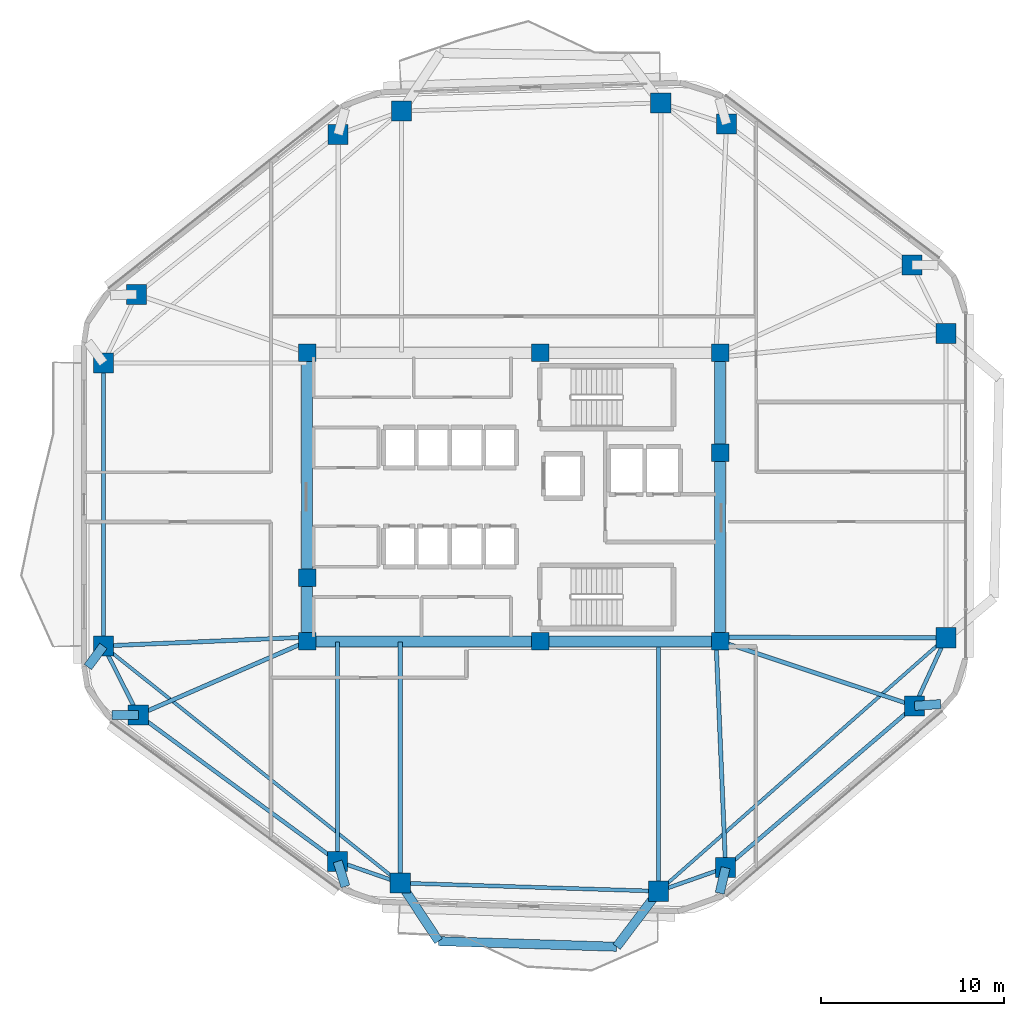
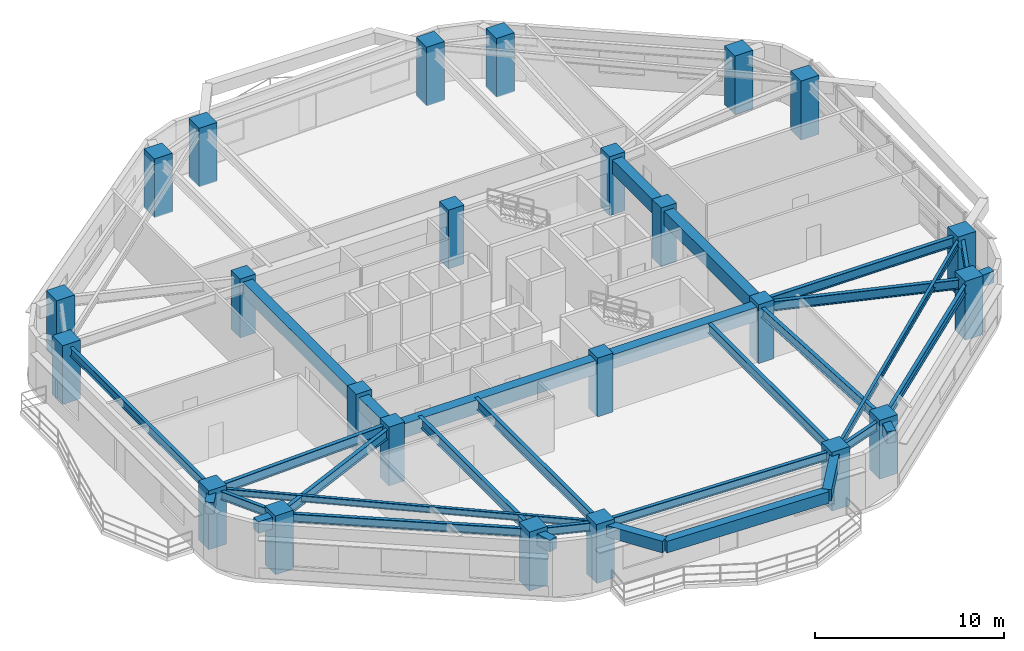
# One storey, part 1 of 13: 32 beams, 24 columns.
"""IFC4 building model written with IfcOpenShell, lengths in metres."""

from ifc_helpers import new_model, si_unit, direction, frame, origin, origin_2d, place, context, subcontext, project, spatial, rectangle, i_section, extrude, material, material_profile, profile_set, type_object, element, save


model = new_model("IFC4")

# Units and contexts
model_context = context("Model", 3, precision=1e-05, world=origin(), true_north=direction((0.0, 1.0)))
body_context = subcontext(model_context, "Body", "Model", "MODEL_VIEW")
ifc_project = project(units=[si_unit("LENGTHUNIT", "METRE"), si_unit("AREAUNIT", "SQUARE_METRE"), si_unit("VOLUMEUNIT", "CUBIC_METRE"), si_unit("PLANEANGLEUNIT", "RADIAN"), si_unit("MASSUNIT", "GRAM", prefix="KILO")], contexts=[model_context])

# Site, building, storey
site_placement = place(None, origin())
site = spatial("IfcSite", under=ifc_project, at=site_placement, CompositionType="ELEMENT")
building_placement = place(site_placement, origin())
building = spatial("IfcBuilding", under=site, at=building_placement, Name="Zulverin Broadcast Headquarters", CompositionType="ELEMENT")
storey_placement = place(building_placement, frame((0.0, 0.0, 155.39990234375)))
storey = spatial("IfcBuildingStorey", under=building, at=storey_placement, Name="L39", CompositionType="ELEMENT", Elevation=155.39990234375)

# Columns
ifc_material_1 = material(Name="Concrete C60/75", Category="concrete")
ifc_material_profile_1 = material_profile(ifc_material_1, rectangle(XDim=1.10009765625, YDim=1.10009765625, at=origin_2d()), Name="Concrete C60/75", Category="concrete")
ifc_profile_set_1 = profile_set([ifc_material_profile_1], Name="Concrete C60/75")
column_type_1 = type_object("IfcColumnType", Name="COL-RC-1100", PredefinedType="COLUMN", material=ifc_profile_set_1)
for number, where, z_axis, x_axis, name in (
    (1, (30.80859375, 4.12744140625, 0.0), (0.0, 0.0, 1.0), (1.0, 0.0, 0.0), "L39 Perimeter Column T01"),
    (2, (44.909912109375, 3.68017578125, 0.0), (0.0, 0.0, 1.0), (1.0, 0.0, 0.0), "L39 Perimeter Column T02"),
    (3, (48.569580078125, 4.967041015625, 0.0), (0.0, 0.0, 1.0), (1.0, 0.0, 0.0), "L39 Perimeter Column T03"),
    (4, (58.886962890625, 13.798095703125, 0.0), (0.0, 0.0, 1.0), (1.0, 0.0, 0.0), "L39 Perimeter Column T04"),
    (5, (60.60009765625, 17.519287109375, 0.0), (0.0, 0.0, 1.0), (1.0, 0.0, 0.0), "L39 Perimeter Column T05"),
    (6, (60.60009765625, 34.12158203125, 0.0), (0.0, 0.0, 1.0), (1.0, 0.0, 0.0), "L39 Perimeter Column T06"),
    (7, (58.738037109375, 37.877685546875, 0.0), (0.0, 0.0, 1.0), (1.0, 0.0, 0.0), "L39 Perimeter Column T07"),
    (8, (48.62158203125, 45.574951171875, 0.0), (0.0, 0.0, 1.0), (1.0, 0.0, 0.0), "L39 Perimeter Column T08"),
    (9, (45.027587890625, 46.7236328125, 0.0), (0.0, 0.0, 1.0), (1.0, 0.0, 0.0), "L39 Perimeter Column T09"),
    (10, (30.882080078125, 46.27490234375, 0.0), (0.0, 0.0, 1.0), (1.0, 0.0, 0.0), "L39 Perimeter Column T10"),
    (11, (27.416259765625, 45.00439453125, 0.0), (0.0, 0.0, 1.0), (1.0, 0.0, 0.0), "L39 Perimeter Column T11"),
    (12, (16.40869140625, 36.26806640625, 0.0), (0.0, 0.0, 1.0), (1.0, 0.0, 0.0), "L39 Perimeter Column T12"),
    (13, (14.60009765625, 32.523193359375, 0.0), (0.0, 0.0, 1.0), (1.0, 0.0, 0.0), "L39 Perimeter Column T13"),
    (14, (14.60009765625, 17.072021484375, 0.0), (0.0, 0.0, 1.0), (1.0, 0.0, 0.0), "L39 Perimeter Column T14"),
    (15, (16.50537109375, 13.306884765625, 0.0), (0.0, 0.0, 1.0), (1.0, 0.0, 0.0), "L39 Perimeter Column T15"),
    (16, (27.38720703125, 5.309814453125, 0.0), (0.0, 0.0, 1.0), (1.0, 0.0, 0.0), "L39 Perimeter Column T16"),
):
    element("IfcColumn", number, at=place(storey_placement, frame(where, z_axis=z_axis, x_axis=x_axis)), inside=storey, type_object=column_type_1, Name=name, PredefinedType="COLUMN", context=body_context, shape_type="SweptSolid", body=[
        extrude(rectangle(XDim=1.10009765625, YDim=1.10009765625, at=origin_2d()), origin(), (0.0, 0.0, 1.0), 3.800048828125),
    ])
ifc_material_2 = material(Name="Concrete C50/60", Category="concrete")
ifc_material_profile_2 = material_profile(ifc_material_2, rectangle(XDim=0.949951171875, YDim=0.949951171875, at=origin_2d()), Name="Concrete C50/60", Category="concrete")
ifc_profile_set_2 = profile_set([ifc_material_profile_2], Name="Concrete C50/60")
column_type_2 = type_object("IfcColumnType", Name="PIL-RC-950", PredefinedType="PILASTER", material=ifc_profile_set_2)
for number, where, z_axis, x_axis, name in (
    (17, (25.72509765625, 17.324951171875, 0.0), (0.0, 0.0, 1.0), (1.0, 0.0, 0.0), "L39 Core Pilaster K01"),
    (18, (38.449951171875, 17.324951171875, 0.0), (0.0, 0.0, 1.0), (1.0, 0.0, 0.0), "L39 Core Pilaster K02"),
    (19, (48.27490234375, 17.324951171875, 0.0), (0.0, 0.0, 1.0), (1.0, 0.0, 0.0), "L39 Core Pilaster K03"),
    (20, (48.27490234375, 27.6201171875, 0.0), (0.0, 0.0, 1.0), (1.0, 0.0, 0.0), "L39 Core Pilaster K04"),
    (21, (48.27490234375, 33.074951171875, 0.0), (0.0, 0.0, 1.0), (1.0, 0.0, 0.0), "L39 Core Pilaster K05"),
    (22, (38.449951171875, 33.074951171875, 0.0), (0.0, 0.0, 1.0), (1.0, 0.0, 0.0), "L39 Core Pilaster K06"),
    (23, (25.72509765625, 33.074951171875, 0.0), (0.0, 0.0, 1.0), (1.0, 0.0, 0.0), "L39 Core Pilaster K07"),
    (24, (25.72509765625, 20.800048828125, 0.0), (0.0, 0.0, 1.0), (1.0, 0.0, 0.0), "L39 Core Pilaster K08"),
):
    element("IfcColumn", number, at=place(storey_placement, frame(where, z_axis=z_axis, x_axis=x_axis)), inside=storey, type_object=column_type_2, Name=name, PredefinedType="PILASTER", context=body_context, shape_type="SweptSolid", body=[
        extrude(rectangle(XDim=0.949951171875, YDim=0.949951171875, at=origin_2d()), origin(), (0.0, 0.0, 1.0), 3.800048828125),
    ])

# Beams
ifc_material_profile_3 = material_profile(ifc_material_1, rectangle(XDim=0.60009765625, YDim=0.89990234375, at=origin_2d()), Name="Concrete C60/75", Category="concrete")
ifc_profile_set_3 = profile_set([ifc_material_profile_3], Name="Concrete C60/75")
beam_type_1 = type_object("IfcBeamType", Name="BM-CB-600x900", PredefinedType="LINTEL", material=ifc_profile_set_3)
beam_1_placement = place(storey_placement, frame((25.72509765625, 17.324951171875, 3.090087890625), z_axis=(1.0, 0.0, 0.0), x_axis=(0.0, 1.0, 0.0)))
element("IfcBeam", 25, at=beam_1_placement, inside=storey, type_object=beam_type_1, Name="L39 Core Coupling Girder K01-K02", PredefinedType="LINTEL", context=body_context, shape_type="SweptSolid", body=[
    extrude(rectangle(XDim=0.60009765625, YDim=0.89990234375, at=origin_2d()), origin(), (0.0, 0.0, 1.0), 12.724853515625),
])
beam_2_placement = place(storey_placement, frame((38.449951171875, 17.324951171875, 3.090087890625), z_axis=(1.0, 0.0, 0.0), x_axis=(0.0, 1.0, 0.0)))
element("IfcBeam", 26, at=beam_2_placement, inside=storey, type_object=beam_type_1, Name="L39 Core Coupling Girder K02-K03", PredefinedType="LINTEL", context=body_context, shape_type="SweptSolid", body=[
    extrude(rectangle(XDim=0.60009765625, YDim=0.89990234375, at=origin_2d()), origin(), (0.0, 0.0, 1.0), 9.824951171875),
])
beam_3_placement = place(storey_placement, frame((48.27490234375, 17.324951171875, 3.090087890625), z_axis=(0.0, 1.0, 0.0), x_axis=(-1.0, 0.0, 0.0)))
element("IfcBeam", 27, at=beam_3_placement, inside=storey, type_object=beam_type_1, Name="L39 Core Coupling Girder K03-K04", PredefinedType="LINTEL", context=body_context, shape_type="SweptSolid", body=[
    extrude(rectangle(XDim=0.60009765625, YDim=0.89990234375, at=origin_2d()), origin(), (0.0, 0.0, 1.0), 10.295166015625),
])
beam_4_placement = place(storey_placement, frame((48.27490234375, 27.6201171875, 3.090087890625), z_axis=(0.0, 1.0, 0.0), x_axis=(-1.0, 0.0, 0.0)))
element("IfcBeam", 28, at=beam_4_placement, inside=storey, type_object=beam_type_1, Name="L39 Core Coupling Girder K04-K05", PredefinedType="LINTEL", context=body_context, shape_type="SweptSolid", body=[
    extrude(rectangle(XDim=0.60009765625, YDim=0.89990234375, at=origin_2d()), origin(), (0.0, 0.0, 1.0), 5.454833984375),
])
beam_5_placement = place(storey_placement, frame((25.72509765625, 33.074951171875, 3.090087890625), z_axis=(0.0, -1.0, 0.0), x_axis=(1.0, 0.0, 0.0)))
element("IfcBeam", 29, at=beam_5_placement, inside=storey, type_object=beam_type_1, Name="L39 Core Coupling Girder K07-K08", PredefinedType="LINTEL", context=body_context, shape_type="SweptSolid", body=[
    extrude(rectangle(XDim=0.60009765625, YDim=0.89990234375, at=origin_2d()), origin(), (0.0, 0.0, 1.0), 12.27490234375),
])
beam_6_placement = place(storey_placement, frame((25.72509765625, 20.800048828125, 3.090087890625), z_axis=(0.0, -1.0, 0.0), x_axis=(1.0, 0.0, 0.0)))
element("IfcBeam", 30, at=beam_6_placement, inside=storey, type_object=beam_type_1, Name="L39 Core Coupling Girder K08-K01", PredefinedType="LINTEL", context=body_context, shape_type="SweptSolid", body=[
    extrude(rectangle(XDim=0.60009765625, YDim=0.89990234375, at=origin_2d()), origin(), (0.0, 0.0, 1.0), 3.47509765625),
])
ifc_material_3 = material(Name="Concrete C40/50", Category="concrete")
ifc_material_profile_4 = material_profile(ifc_material_3, rectangle(XDim=0.5, YDim=0.75, at=origin_2d()), Name="Concrete C40/50", Category="concrete")
ifc_profile_set_4 = profile_set([ifc_material_profile_4], Name="Concrete C40/50")
beam_type_2 = type_object("IfcBeamType", Name="BM-RC-500x750", PredefinedType="BEAM", material=ifc_profile_set_4)
for number, where, z_axis, x_axis, name in (
    (31, (48.569580078125, 4.967041015625, 3.1650390625), (-0.224497908308, -0.974474570815, 0.0), (0.974474570815, -0.224497908308, 0.0), "L40 Plate Overhang Back-Spanned Beam OVR-03"),
    (32, (58.886962890625, 13.798095703125, 3.1650390625), (0.997450894981, 0.071356233801, 0.0), (-0.071356233801, 0.997450894981, 0.0), "L40 Plate Overhang Back-Spanned Beam OVR-04"),
    (33, (14.60009765625, 17.072021484375, 3.1650390625), (-0.594386261368, -0.80417968906, 0.0), (0.80417968906, -0.594386261368, 0.0), "L40 Plate Overhang Back-Spanned Beam OVR-14"),
):
    element("IfcBeam", number, at=place(storey_placement, frame(where, z_axis=z_axis, x_axis=x_axis)), inside=storey, type_object=beam_type_2, Name=name, PredefinedType="BEAM", context=body_context, shape_type="SweptSolid", body=[
        extrude(rectangle(XDim=0.5, YDim=0.75, at=origin_2d()), origin(), (0.0, 0.0, 1.0), 1.43017578125),
    ])
beam_7_placement = place(storey_placement, frame((16.50537109375, 13.306884765625, 3.1650390625), z_axis=(-0.999996268726, -0.002731763753, 0.0), x_axis=(0.002731763753, -0.999996268726, 0.0)))
element("IfcBeam", 34, at=beam_7_placement, inside=storey, type_object=beam_type_2, Name="L40 Plate Overhang Back-Spanned Beam OVR-15", PredefinedType="BEAM", context=body_context, shape_type="SweptSolid", body=[
    extrude(rectangle(XDim=0.5, YDim=0.75, at=origin_2d()), origin(), (0.0, 0.0, 1.0), 1.429931640625),
])
beam_8_placement = place(storey_placement, frame((27.38720703125, 5.309814453125, 3.1650390625), z_axis=(0.296184429368, -0.955130767905, 0.0), x_axis=(0.955130767905, 0.296184429368, 0.0)))
element("IfcBeam", 35, at=beam_8_placement, inside=storey, type_object=beam_type_2, Name="L40 Plate Overhang Back-Spanned Beam OVR-16", PredefinedType="BEAM", context=body_context, shape_type="SweptSolid", body=[
    extrude(rectangle(XDim=0.5, YDim=0.75, at=origin_2d()), origin(), (0.0, 0.0, 1.0), 1.43017578125),
])
beam_9_placement = place(storey_placement, frame((30.80859375, 4.12744140625, 3.1650390625), z_axis=(0.550750010235, -0.834670249995, 0.0), x_axis=(0.834670249995, 0.550750010235, 0.0)))
element("IfcBeam", 36, at=beam_9_placement, inside=storey, type_object=beam_type_2, Name="L40 Balcony Column-Framed Cantilever BAL_S-1", PredefinedType="BEAM", context=body_context, shape_type="SweptSolid", body=[
    extrude(rectangle(XDim=0.5, YDim=0.75, at=origin_2d()), origin(), (0.0, 0.0, 1.0), 3.7998046875),
])
beam_10_placement = place(storey_placement, frame((44.909912109375, 3.68017578125, 3.1650390625), z_axis=(-0.602566759329, -0.798068481116, 0.0), x_axis=(0.798068481116, -0.602566759329, 0.0)))
element("IfcBeam", 37, at=beam_10_placement, inside=storey, type_object=beam_type_2, Name="L40 Balcony Column-Framed Cantilever BAL_S-2", PredefinedType="BEAM", context=body_context, shape_type="SweptSolid", body=[
    extrude(rectangle(XDim=0.5, YDim=0.75, at=origin_2d()), origin(), (0.0, 0.0, 1.0), 3.800048828125),
])
beam_11_placement = place(storey_placement, frame((32.9013671875, 0.955810546875, 3.1650390625), z_axis=(0.999497069167, -0.031711334364, 0.0), x_axis=(0.031711334364, 0.999497069167, 0.0)))
element("IfcBeam", 38, at=beam_11_placement, inside=storey, type_object=beam_type_2, Name="L40 Balcony Outer Edge Trimmer Beam BAL_S", PredefinedType="BEAM", context=body_context, shape_type="SweptSolid", body=[
    extrude(rectangle(XDim=0.5, YDim=0.75, at=origin_2d()), origin(), (0.0, 0.0, 1.0), 9.7236328125),
])
ifc_material_4 = material(Name="Structural steel S355JR", Category="steel")
ifc_material_profile_5 = material_profile(ifc_material_4, i_section(OverallWidth=0.179443359375, OverallDepth=0.412841796875, WebThickness=0.009521484375, FlangeThickness=0.01611328125, at=origin_2d()), Name="Structural steel S355JR", Category="steel")
ifc_profile_set_5 = profile_set([ifc_material_profile_5], Name="Structural steel S355JR")
beam_type_3 = type_object("IfcBeamType", Name="BM-UB-406", PredefinedType="JOIST", material=ifc_profile_set_5)
beam_12_placement = place(storey_placement, frame((44.909912109375, 3.68017578125, 3.333740234375), z_axis=(0.74996043981, 0.661482682102, 0.0), x_axis=(-0.661482682102, 0.74996043981, 0.0)))
element("IfcBeam", 39, at=beam_12_placement, inside=storey, type_object=beam_type_3, Name="L39 Chordal Floor Joist J-01", PredefinedType="JOIST", context=body_context, shape_type="SweptSolid", body=[
    extrude(i_section(OverallWidth=0.179443359375, OverallDepth=0.412841796875, WebThickness=0.009521484375, FlangeThickness=0.01611328125, at=origin_2d()), origin(), (0.0, 0.0, 1.0), 20.92138671875),
])
beam_13_placement = place(storey_placement, frame((14.60009765625, 17.072021484375, 3.333740234375), z_axis=(0.781390996609, -0.624041753746, 0.0), x_axis=(0.624041753746, 0.781390996609, 0.0)))
element("IfcBeam", 40, at=beam_13_placement, inside=storey, type_object=beam_type_3, Name="L39 Chordal Floor Joist J-04", PredefinedType="JOIST", context=body_context, shape_type="SweptSolid", body=[
    extrude(i_section(OverallWidth=0.179443359375, OverallDepth=0.412841796875, WebThickness=0.009521484375, FlangeThickness=0.01611328125, at=origin_2d()), origin(), (0.0, 0.0, 1.0), 20.7431640625),
])
ifc_material_profile_6 = material_profile(ifc_material_4, i_section(OverallWidth=0.2119140625, OverallDepth=0.54443359375, WebThickness=0.0126953125, FlangeThickness=0.021240234375, at=origin_2d()), Name="Structural steel S355JR", Category="steel")
ifc_profile_set_6 = profile_set([ifc_material_profile_6], Name="Structural steel S355JR")
beam_type_4 = type_object("IfcBeamType", Name="BM-UB-533", PredefinedType="SPANDREL", material=ifc_profile_set_6)
beam_14_placement = place(storey_placement, frame((30.80859375, 4.12744140625, 3.267822265625), z_axis=(0.999497363437, -0.031702058031, 0.0), x_axis=(0.031702058031, 0.999497363437, 0.0)))
element("IfcBeam", 41, at=beam_14_placement, inside=storey, type_object=beam_type_4, Name="L39 Perimeter Spandrel Beam SP-01", PredefinedType="SPANDREL", context=body_context, shape_type="SweptSolid", body=[
    extrude(i_section(OverallWidth=0.2119140625, OverallDepth=0.54443359375, WebThickness=0.0126953125, FlangeThickness=0.021240234375, at=origin_2d()), origin(), (0.0, 0.0, 1.0), 14.1083984375),
])
beam_15_placement = place(storey_placement, frame((44.909912109375, 3.68017578125, 3.267822265625), z_axis=(0.943376593622, 0.331723684121, 0.0), x_axis=(-0.331723684121, 0.943376593622, 0.0)))
element("IfcBeam", 42, at=beam_15_placement, inside=storey, type_object=beam_type_4, Name="L39 Perimeter Spandrel Beam SP-02", PredefinedType="SPANDREL", context=body_context, shape_type="SweptSolid", body=[
    extrude(i_section(OverallWidth=0.2119140625, OverallDepth=0.54443359375, WebThickness=0.0126953125, FlangeThickness=0.021240234375, at=origin_2d()), origin(), (0.0, 0.0, 1.0), 3.87939453125),
])
beam_16_placement = place(storey_placement, frame((48.569580078125, 4.967041015625, 3.267822265625), z_axis=(0.759708170965, 0.650264173217, 0.0), x_axis=(-0.650264173217, 0.759708170965, 0.0)))
element("IfcBeam", 43, at=beam_16_placement, inside=storey, type_object=beam_type_4, Name="L39 Perimeter Spandrel Beam SP-03", PredefinedType="SPANDREL", context=body_context, shape_type="SweptSolid", body=[
    extrude(i_section(OverallWidth=0.2119140625, OverallDepth=0.54443359375, WebThickness=0.0126953125, FlangeThickness=0.021240234375, at=origin_2d()), origin(), (0.0, 0.0, 1.0), 13.580810546875),
])
beam_17_placement = place(storey_placement, frame((58.886962890625, 13.798095703125, 3.267822265625), z_axis=(0.418184975358, 0.90836189175, 0.0), x_axis=(-0.90836189175, 0.418184975358, 0.0)))
element("IfcBeam", 44, at=beam_17_placement, inside=storey, type_object=beam_type_4, Name="L39 Perimeter Spandrel Beam SP-04", PredefinedType="SPANDREL", context=body_context, shape_type="SweptSolid", body=[
    extrude(i_section(OverallWidth=0.2119140625, OverallDepth=0.54443359375, WebThickness=0.0126953125, FlangeThickness=0.021240234375, at=origin_2d()), origin(), (0.0, 0.0, 1.0), 4.0966796875),
])
beam_18_placement = place(storey_placement, frame((14.60009765625, 32.523193359375, 3.267822265625), z_axis=(0.0, -1.0, 0.0), x_axis=(1.0, 0.0, 0.0)))
element("IfcBeam", 45, at=beam_18_placement, inside=storey, type_object=beam_type_4, Name="L39 Perimeter Spandrel Beam SP-13", PredefinedType="SPANDREL", context=body_context, shape_type="SweptSolid", body=[
    extrude(i_section(OverallWidth=0.2119140625, OverallDepth=0.54443359375, WebThickness=0.0126953125, FlangeThickness=0.021240234375, at=origin_2d()), origin(), (0.0, 0.0, 1.0), 15.451171875),
])
beam_19_placement = place(storey_placement, frame((14.60009765625, 17.072021484375, 3.267822265625), z_axis=(0.451512947895, -0.892264567201, 0.0), x_axis=(0.892264567201, 0.451512947895, 0.0)))
element("IfcBeam", 46, at=beam_19_placement, inside=storey, type_object=beam_type_4, Name="L39 Perimeter Spandrel Beam SP-14", PredefinedType="SPANDREL", context=body_context, shape_type="SweptSolid", body=[
    extrude(i_section(OverallWidth=0.2119140625, OverallDepth=0.54443359375, WebThickness=0.0126953125, FlangeThickness=0.021240234375, at=origin_2d()), origin(), (0.0, 0.0, 1.0), 4.2197265625),
])
beam_20_placement = place(storey_placement, frame((16.50537109375, 13.306884765625, 3.267822265625), z_axis=(0.805802234061, -0.592184734338, 0.0), x_axis=(0.592184734338, 0.805802234061, 0.0)))
element("IfcBeam", 47, at=beam_20_placement, inside=storey, type_object=beam_type_4, Name="L39 Perimeter Spandrel Beam SP-15", PredefinedType="SPANDREL", context=body_context, shape_type="SweptSolid", body=[
    extrude(i_section(OverallWidth=0.2119140625, OverallDepth=0.54443359375, WebThickness=0.0126953125, FlangeThickness=0.021240234375, at=origin_2d()), origin(), (0.0, 0.0, 1.0), 13.50439453125),
])
beam_21_placement = place(storey_placement, frame((27.38720703125, 5.309814453125, 3.267822265625), z_axis=(0.945152732867, -0.326628705956, 0.0), x_axis=(0.326628705956, 0.945152732867, 0.0)))
element("IfcBeam", 48, at=beam_21_placement, inside=storey, type_object=beam_type_4, Name="L39 Perimeter Spandrel Beam SP-16", PredefinedType="SPANDREL", context=body_context, shape_type="SweptSolid", body=[
    extrude(i_section(OverallWidth=0.2119140625, OverallDepth=0.54443359375, WebThickness=0.0126953125, FlangeThickness=0.021240234375, at=origin_2d()), origin(), (0.0, 0.0, 1.0), 3.619873046875),
])
ifc_material_profile_7 = material_profile(ifc_material_4, i_section(OverallWidth=0.230224609375, OverallDepth=0.6171875, WebThickness=0.01318359375, FlangeThickness=0.022216796875, at=origin_2d()), Name="Structural steel S355JR", Category="steel")
ifc_profile_set_7 = profile_set([ifc_material_profile_7], Name="Structural steel S355JR")
beam_type_5 = type_object("IfcBeamType", Name="BM-UB-610", PredefinedType="BEAM", material=ifc_profile_set_7)
beam_22_placement = place(storey_placement, frame((30.80859375, 17.27490234375, 3.2314453125), z_axis=(0.0, -1.0, 0.0), x_axis=(1.0, 0.0, 0.0)))
element("IfcBeam", 49, at=beam_22_placement, inside=storey, type_object=beam_type_5, Name="L39 Radial Primary Floor Beam RB-01", PredefinedType="BEAM", context=body_context, shape_type="SweptSolid", body=[
    extrude(i_section(OverallWidth=0.230224609375, OverallDepth=0.6171875, WebThickness=0.01318359375, FlangeThickness=0.022216796875, at=origin_2d()), origin(), (0.0, 0.0, 1.0), 13.1474609375),
])
beam_23_placement = place(storey_placement, frame((44.909912109375, 17.27490234375, 3.2314453125), z_axis=(0.0, -1.0, 0.0), x_axis=(1.0, 0.0, 0.0)))
element("IfcBeam", 50, at=beam_23_placement, inside=storey, type_object=beam_type_5, Name="L39 Radial Primary Floor Beam RB-02", PredefinedType="BEAM", context=body_context, shape_type="SweptSolid", body=[
    extrude(i_section(OverallWidth=0.230224609375, OverallDepth=0.6171875, WebThickness=0.01318359375, FlangeThickness=0.022216796875, at=origin_2d()), origin(), (0.0, 0.0, 1.0), 13.5947265625),
])
beam_24_placement = place(storey_placement, frame((48.050048828125, 17.27490234375, 3.2314453125), z_axis=(0.042173778549, -0.99911029041, 0.0), x_axis=(0.99911029041, 0.042173778549, 0.0)))
element("IfcBeam", 51, at=beam_24_placement, inside=storey, type_object=beam_type_5, Name="L39 Radial Primary Floor Beam RB-03", PredefinedType="BEAM", context=body_context, shape_type="SweptSolid", body=[
    extrude(i_section(OverallWidth=0.230224609375, OverallDepth=0.6171875, WebThickness=0.01318359375, FlangeThickness=0.022216796875, at=origin_2d()), origin(), (0.0, 0.0, 1.0), 12.31884765625),
])
beam_25_placement = place(storey_placement, frame((48.27490234375, 17.324951171875, 3.2314453125), z_axis=(0.948964552547, -0.315382748432, 0.0), x_axis=(0.315382748432, 0.948964552547, 0.0)))
element("IfcBeam", 52, at=beam_25_placement, inside=storey, type_object=beam_type_5, Name="L39 Radial Primary Floor Beam RB-04", PredefinedType="BEAM", context=body_context, shape_type="SweptSolid", body=[
    extrude(i_section(OverallWidth=0.230224609375, OverallDepth=0.6171875, WebThickness=0.01318359375, FlangeThickness=0.022216796875, at=origin_2d()), origin(), (0.0, 0.0, 1.0), 11.182861328125),
])
beam_26_placement = place(storey_placement, frame((48.324951171875, 17.550048828125, 3.2314453125), z_axis=(0.999996859956, -0.002506008559, 0.0), x_axis=(0.002506008559, 0.999996859956, 0.0)))
element("IfcBeam", 53, at=beam_26_placement, inside=storey, type_object=beam_type_5, Name="L39 Radial Primary Floor Beam RB-05", PredefinedType="BEAM", context=body_context, shape_type="SweptSolid", body=[
    extrude(i_section(OverallWidth=0.230224609375, OverallDepth=0.6171875, WebThickness=0.01318359375, FlangeThickness=0.022216796875, at=origin_2d()), origin(), (0.0, 0.0, 1.0), 12.275146484375),
])
beam_27_placement = place(storey_placement, frame((25.675048828125, 17.550048828125, 3.2314453125), z_axis=(-0.999069780306, -0.043122779134, 0.0), x_axis=(0.043122779134, -0.999069780306, 0.0)))
element("IfcBeam", 54, at=beam_27_placement, inside=storey, type_object=beam_type_5, Name="L39 Radial Primary Floor Beam RB-14", PredefinedType="BEAM", context=body_context, shape_type="SweptSolid", body=[
    extrude(i_section(OverallWidth=0.230224609375, OverallDepth=0.6171875, WebThickness=0.01318359375, FlangeThickness=0.022216796875, at=origin_2d()), origin(), (0.0, 0.0, 1.0), 11.085205078125),
])
beam_28_placement = place(storey_placement, frame((25.72509765625, 17.324951171875, 3.2314453125), z_axis=(-0.916724690104, -0.39951951461, 0.0), x_axis=(0.39951951461, -0.916724690104, 0.0)))
element("IfcBeam", 55, at=beam_28_placement, inside=storey, type_object=beam_type_5, Name="L39 Radial Primary Floor Beam RB-15", PredefinedType="BEAM", context=body_context, shape_type="SweptSolid", body=[
    extrude(i_section(OverallWidth=0.230224609375, OverallDepth=0.6171875, WebThickness=0.01318359375, FlangeThickness=0.022216796875, at=origin_2d()), origin(), (0.0, 0.0, 1.0), 10.05712890625),
])
beam_29_placement = place(storey_placement, frame((27.38720703125, 17.27490234375, 3.2314453125), z_axis=(0.0, -1.0, 0.0), x_axis=(1.0, 0.0, 0.0)))
element("IfcBeam", 56, at=beam_29_placement, inside=storey, type_object=beam_type_5, Name="L39 Radial Primary Floor Beam RB-16", PredefinedType="BEAM", context=body_context, shape_type="SweptSolid", body=[
    extrude(i_section(OverallWidth=0.230224609375, OverallDepth=0.6171875, WebThickness=0.01318359375, FlangeThickness=0.022216796875, at=origin_2d()), origin(), (0.0, 0.0, 1.0), 11.965087890625),
])

save(model, "model.ifc")
